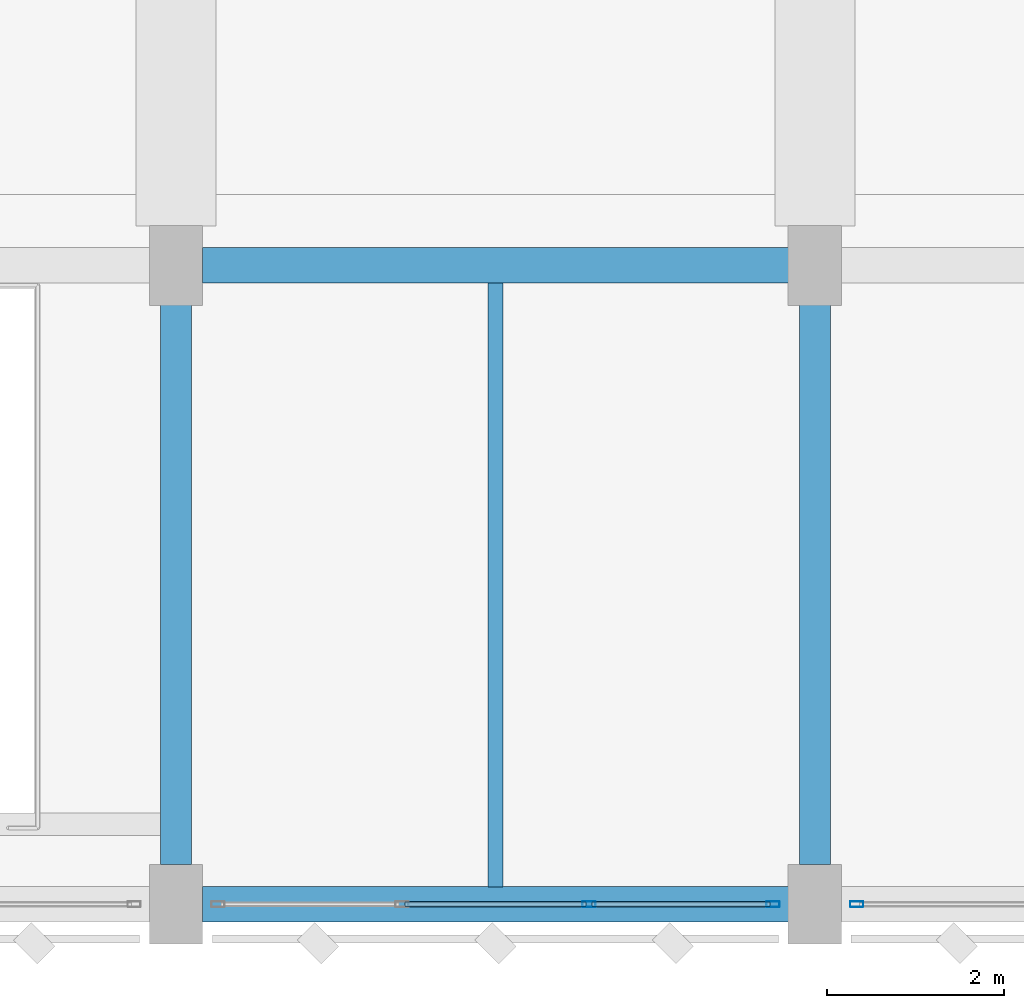
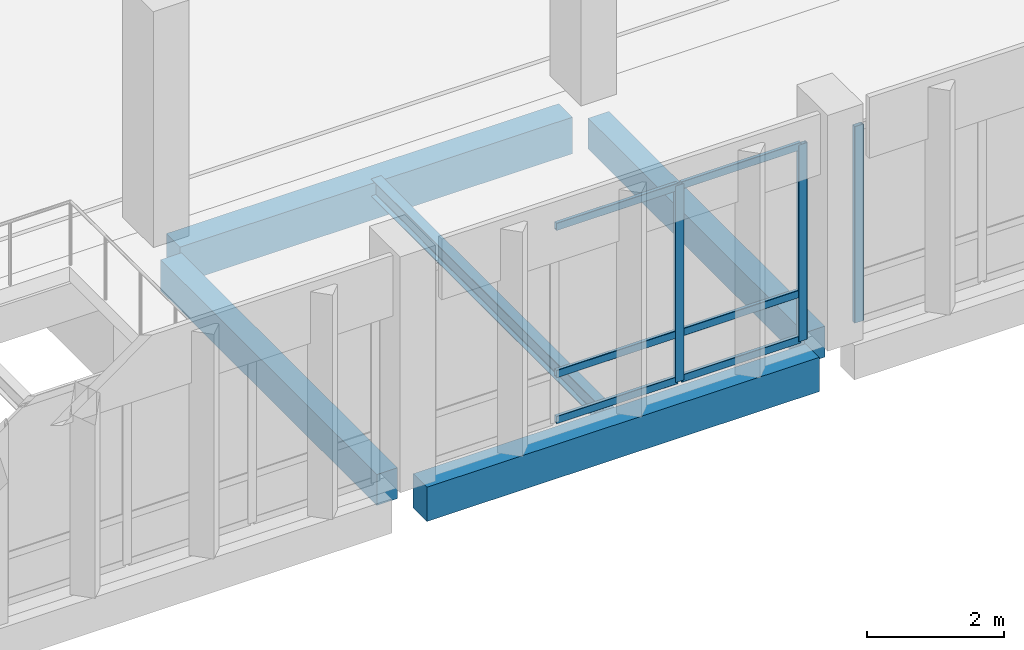
# One storey, part 73 of 158: 9 members, 5 beams, 2 elements without a shape of their own.
"""IFC4 building model written with IfcOpenShell, lengths in metres."""

from ifc_helpers import new_model, si_unit, direction, frame, origin, origin_2d, place, context, subcontext, project, spatial, rectangle, hollow_rectangle, i_section, extrude, material, material_profile, profile_set, type_object, element, aggregate, save


model = new_model("IFC4")

# Units and contexts
model_context = context("Model", 3, precision=1e-05, world=origin(), true_north=direction((0.0, 1.0)))
body_context = subcontext(model_context, "Body", "Model", "MODEL_VIEW")
ifc_project = project(units=[si_unit("LENGTHUNIT", "METRE"), si_unit("AREAUNIT", "SQUARE_METRE"), si_unit("VOLUMEUNIT", "CUBIC_METRE"), si_unit("PLANEANGLEUNIT", "RADIAN"), si_unit("MASSUNIT", "GRAM", prefix="KILO")], contexts=[model_context])

# Site, building, storey
site_placement = place(None, origin())
site = spatial("IfcSite", under=ifc_project, at=site_placement, CompositionType="ELEMENT")
building_placement = place(site_placement, origin())
building = spatial("IfcBuilding", under=site, at=building_placement, Name="Lusvemor Sports Hall", CompositionType="ELEMENT")
storey_placement = place(building_placement, frame((0.0, 0.0, 10.800048828125)))
storey = spatial("IfcBuildingStorey", under=building, at=storey_placement, Name="L02", CompositionType="ELEMENT", Elevation=10.800048828125)

# Beams
ifc_material_1 = material(Name="Concrete C40/50", Category="concrete")
ifc_material_profile_1 = material_profile(ifc_material_1, rectangle(XDim=0.35009765625, YDim=0.550048828125, at=origin_2d()), Name="RC350x550")
ifc_profile_set_1 = profile_set([ifc_material_profile_1], Name="Concrete C40/50")
beam_type_1 = type_object("IfcBeamType", Name="BEAM_RC_550", PredefinedType="BEAM", material=ifc_profile_set_1)
for number, where, z_axis, x_axis, name in (
    (1, (133.199951171875, 0.446044921875, -0.53515625), (0.0, 1.0, 0.0), (-1.0, 0.0, 0.0), "Beam L02 15:A-B"),
    (2, (140.39990234375, 0.446044921875, -0.53515625), (0.0, 1.0, 0.0), (-1.0, 0.0, 0.0), "Beam L02 16:A-B"),
):
    element("IfcBeam", number, at=place(storey_placement, frame(where, z_axis=z_axis, x_axis=x_axis)), inside=storey, type_object=beam_type_1, Name=name, PredefinedType="BEAM", context=body_context, shape_type="SweptSolid", body=[
        extrude(rectangle(XDim=0.35009765625, YDim=0.550048828125, at=origin_2d()), origin(), (0.0, 0.0, 1.0), 6.307861328125),
    ])
ifc_material_2 = material(Name="Concrete C40/50", Category="concrete")
ifc_material_profile_2 = material_profile(ifc_material_2, rectangle(XDim=0.39990234375, YDim=0.64990234375, at=origin_2d()), Name="RC400x650")
ifc_profile_set_2 = profile_set([ifc_material_profile_2], Name="Concrete C40/50")
beam_type_2 = type_object("IfcBeamType", Name="BEAM_RC_650", PredefinedType="BEAM", material=ifc_profile_set_2)
beam_1_placement = place(storey_placement, frame((133.49609375, 7.199951171875, -0.675048828125), z_axis=(1.0, 0.0, 0.0), x_axis=(0.0, 1.0, 0.0)))
element("IfcBeam", 3, at=beam_1_placement, inside=storey, type_object=beam_type_2, Name="Beam L02 B:15-16", PredefinedType="BEAM", context=body_context, shape_type="SweptSolid", body=[
    extrude(rectangle(XDim=0.39990234375, YDim=0.64990234375, at=origin_2d()), origin(), (0.0, 0.0, 1.0), 6.60791015625),
])

# Curtain wall, members
ifc_material_3 = material(Name="Thermally broken bronze-anodized aluminium", Category="aluminium")
curtain_wall_type = type_object("IfcCurtainWallType", Name="CW_COURT_C", PredefinedType="NOTDEFINED", material=ifc_material_3)
curtain_wall_1_placement = place(storey_placement, origin())
curtain_wall_1 = element("IfcCurtainWall", 4, at=curtain_wall_1_placement, inside=storey, type_object=curtain_wall_type, Name="Curtain Wall CW-V2S-L02-2", PredefinedType="NOTDEFINED")
ifc_material_4 = material(Name="Thermally broken bronze-anodized aluminium", Category="aluminium")
ifc_material_profile_3 = material_profile(ifc_material_4, hollow_rectangle(XDim=0.06494140625, YDim=0.14990234375, WallThickness=0.00390625, InnerFilletRadius=0.00390625, OuterFilletRadius=0.008056640625, at=origin_2d()), Name="CWMUL150x65x4")
ifc_profile_set_3 = profile_set([ifc_material_profile_3], Name="Thermally broken bronze-anodized aluminium")
member_type_1 = type_object("IfcMemberType", Name="CW_MUL_B", PredefinedType="MULLION", material=ifc_profile_set_3)
member_1_placement = place(storey_placement, frame((139.927490234375, 0.0, 0.0), z_axis=(0.0, 0.0, 1.0), x_axis=(0.0, -1.0, 0.0)))
member_1 = element("IfcMember", 5, at=member_1_placement, type_object=member_type_1, Name="CW03 mullion 1", PredefinedType="MULLION", context=body_context, shape_type="SweptSolid", body=[
    extrude(hollow_rectangle(XDim=0.06494140625, YDim=0.14990234375, WallThickness=0.00390625, InnerFilletRadius=0.00390625, OuterFilletRadius=0.008056640625, at=origin_2d()), origin(), (0.0, 0.0, 1.0), 3.5),
])
member_2_placement = place(storey_placement, frame((137.853271484375, 0.0, 0.0), z_axis=(0.0, 0.0, 1.0), x_axis=(0.0, -1.0, 0.0)))
member_2 = element("IfcMember", 6, at=member_2_placement, type_object=member_type_1, Name="CW03 mullion 2", PredefinedType="MULLION", context=body_context, shape_type="SweptSolid", body=[
    extrude(hollow_rectangle(XDim=0.06494140625, YDim=0.14990234375, WallThickness=0.00390625, InnerFilletRadius=0.00390625, OuterFilletRadius=0.008056640625, at=origin_2d()), origin(), (0.0, 0.0, 1.0), 3.5),
])

# Curtain wall, member
curtain_wall_2_placement = place(storey_placement, origin())
curtain_wall_2 = element("IfcCurtainWall", 7, at=curtain_wall_2_placement, inside=storey, type_object=curtain_wall_type, Name="Curtain Wall CW-V2S-L02-3", PredefinedType="NOTDEFINED")
member_3_placement = place(storey_placement, frame((140.87255859375, 0.0, 0.0), z_axis=(0.0, 0.0, 1.0), x_axis=(0.0, -1.0, 0.0)))
member_3 = element("IfcMember", 8, at=member_3_placement, type_object=member_type_1, Name="CW03 mullion 4", PredefinedType="MULLION", context=body_context, shape_type="SweptSolid", body=[
    extrude(hollow_rectangle(XDim=0.06494140625, YDim=0.14990234375, WallThickness=0.00390625, InnerFilletRadius=0.00390625, OuterFilletRadius=0.008056640625, at=origin_2d()), origin(), (0.0, 0.0, 1.0), 3.5),
])
aggregate(curtain_wall_2, [member_3])

# Member
ifc_material_5 = material(Name="Thermally broken bronze-anodized aluminium", Category="aluminium")
ifc_material_profile_4 = material_profile(ifc_material_5, hollow_rectangle(XDim=0.06005859375, YDim=0.135009765625, WallThickness=0.00390625, InnerFilletRadius=0.00390625, OuterFilletRadius=0.008056640625, at=origin_2d()), Name="CWTRN135x60x4")
ifc_profile_set_4 = profile_set([ifc_material_profile_4], Name="Thermally broken bronze-anodized aluminium")
member_type_2 = type_object("IfcMemberType", Name="CW_TRN_B", PredefinedType="USERDEFINED", material=ifc_profile_set_4)
member_4_placement = place(storey_placement, frame((139.89501953125, 0.0, 0.030029296875), z_axis=(-1.0, 0.0, 0.0), x_axis=(0.0, -1.0, 0.0)))
member_4 = element("IfcMember", 9, at=member_4_placement, type_object=member_type_2, Name="CW03 transom 1.1", ObjectType="TRANSOM", PredefinedType="USERDEFINED", context=body_context, shape_type="SweptSolid", body=[
    extrude(hollow_rectangle(XDim=0.06005859375, YDim=0.135009765625, WallThickness=0.00390625, InnerFilletRadius=0.00390625, OuterFilletRadius=0.008056640625, at=origin_2d()), origin(), (0.0, 0.0, 1.0), 2.00927734375),
])

member_5_placement = place(storey_placement, frame((139.89501953125, 0.0, 0.849853515625), z_axis=(-1.0, 0.0, 0.0), x_axis=(0.0, -1.0, 0.0)))
member_5 = element("IfcMember", 10, at=member_5_placement, type_object=member_type_2, Name="CW03 transom 1.2", ObjectType="TRANSOM", PredefinedType="USERDEFINED", context=body_context, shape_type="SweptSolid", body=[
    extrude(hollow_rectangle(XDim=0.06005859375, YDim=0.135009765625, WallThickness=0.00390625, InnerFilletRadius=0.00390625, OuterFilletRadius=0.008056640625, at=origin_2d()), origin(), (0.0, 0.0, 1.0), 2.00927734375),
])

member_6_placement = place(storey_placement, frame((139.89501953125, 0.0, 3.469970703125), z_axis=(-1.0, 0.0, 0.0), x_axis=(0.0, -1.0, 0.0)))
member_6 = element("IfcMember", 11, at=member_6_placement, type_object=member_type_2, Name="CW03 transom 1.3", ObjectType="TRANSOM", PredefinedType="USERDEFINED", context=body_context, shape_type="SweptSolid", body=[
    extrude(hollow_rectangle(XDim=0.06005859375, YDim=0.135009765625, WallThickness=0.00390625, InnerFilletRadius=0.00390625, OuterFilletRadius=0.008056640625, at=origin_2d()), origin(), (0.0, 0.0, 1.0), 2.00927734375),
])

member_7_placement = place(storey_placement, frame((137.82080078125, 0.0, 0.030029296875), z_axis=(-1.0, 0.0, 0.0), x_axis=(0.0, -1.0, 0.0)))
member_7 = element("IfcMember", 12, at=member_7_placement, type_object=member_type_2, Name="CW03 transom 2.1", ObjectType="TRANSOM", PredefinedType="USERDEFINED", context=body_context, shape_type="SweptSolid", body=[
    extrude(hollow_rectangle(XDim=0.06005859375, YDim=0.135009765625, WallThickness=0.00390625, InnerFilletRadius=0.00390625, OuterFilletRadius=0.008056640625, at=origin_2d()), origin(), (0.0, 0.0, 1.0), 2.041748046875),
])

member_8_placement = place(storey_placement, frame((137.82080078125, 0.0, 0.849853515625), z_axis=(-1.0, 0.0, 0.0), x_axis=(0.0, -1.0, 0.0)))
member_8 = element("IfcMember", 13, at=member_8_placement, type_object=member_type_2, Name="CW03 transom 2.2", ObjectType="TRANSOM", PredefinedType="USERDEFINED", context=body_context, shape_type="SweptSolid", body=[
    extrude(hollow_rectangle(XDim=0.06005859375, YDim=0.135009765625, WallThickness=0.00390625, InnerFilletRadius=0.00390625, OuterFilletRadius=0.008056640625, at=origin_2d()), origin(), (0.0, 0.0, 1.0), 2.041748046875),
])

member_9_placement = place(storey_placement, frame((137.82080078125, 0.0, 3.469970703125), z_axis=(-1.0, 0.0, 0.0), x_axis=(0.0, -1.0, 0.0)))
member_9 = element("IfcMember", 14, at=member_9_placement, type_object=member_type_2, Name="CW03 transom 2.3", ObjectType="TRANSOM", PredefinedType="USERDEFINED", context=body_context, shape_type="SweptSolid", body=[
    extrude(hollow_rectangle(XDim=0.06005859375, YDim=0.135009765625, WallThickness=0.00390625, InnerFilletRadius=0.00390625, OuterFilletRadius=0.008056640625, at=origin_2d()), origin(), (0.0, 0.0, 1.0), 2.041748046875),
])

aggregate(curtain_wall_1, [member_1, member_2, member_4, member_5, member_6, member_7, member_8, member_9])

# Beams
ifc_material_6 = material(Name="Steel S355", Category="steel")
ifc_material_profile_5 = material_profile(ifc_material_6, i_section(OverallWidth=0.1669921875, OverallDepth=0.31689453125, WebThickness=0.007568359375, FlangeThickness=0.01318359375, FilletRadius=0.014892578125, at=origin_2d()), Name="W310x52.0")
ifc_profile_set_5 = profile_set([ifc_material_profile_5], Name="Steel S355")
beam_type_3 = type_object("IfcBeamType", Name="JOIST_ST_310M", PredefinedType="JOIST", material=ifc_profile_set_5)
beam_2_placement = place(storey_placement, frame((136.800048828125, 0.196044921875, -0.422607421875), z_axis=(0.0, 1.0, 0.0), x_axis=(-1.0, 0.0, 0.0)))
element("IfcBeam", 15, at=beam_2_placement, inside=storey, type_object=beam_type_3, Name="Secondary Joist L02 15-16/A-B #1", PredefinedType="JOIST", context=body_context, shape_type="SweptSolid", body=[
    extrude(i_section(OverallWidth=0.1669921875, OverallDepth=0.31689453125, WebThickness=0.007568359375, FlangeThickness=0.01318359375, FilletRadius=0.014892578125, at=origin_2d()), origin(), (0.0, 0.0, 1.0), 6.807861328125),
])
ifc_material_7 = material(Name="Concrete C40/50", Category="concrete")
ifc_material_profile_6 = material_profile(ifc_material_7, rectangle(XDim=0.39990234375, YDim=0.610107421875, at=origin_2d()), Name="RC400x610")
ifc_profile_set_6 = profile_set([ifc_material_profile_6], Name="Concrete C40/50")
beam_type_4 = type_object("IfcBeamType", Name="SPAND_EXT_650", PredefinedType="SPANDREL", material=ifc_profile_set_6)
beam_3_placement = place(storey_placement, frame((133.49609375, 0.0, -0.56494140625), z_axis=(1.0, 0.0, 0.0), x_axis=(0.0, 1.0, 0.0)))
element("IfcBeam", 16, at=beam_3_placement, inside=storey, type_object=beam_type_4, Name="Beam L02 A:15-16", PredefinedType="SPANDREL", context=body_context, shape_type="SweptSolid", body=[
    extrude(rectangle(XDim=0.39990234375, YDim=0.610107421875, at=origin_2d()), origin(), (0.0, 0.0, 1.0), 6.60791015625),
])

save(model, "model.ifc")
